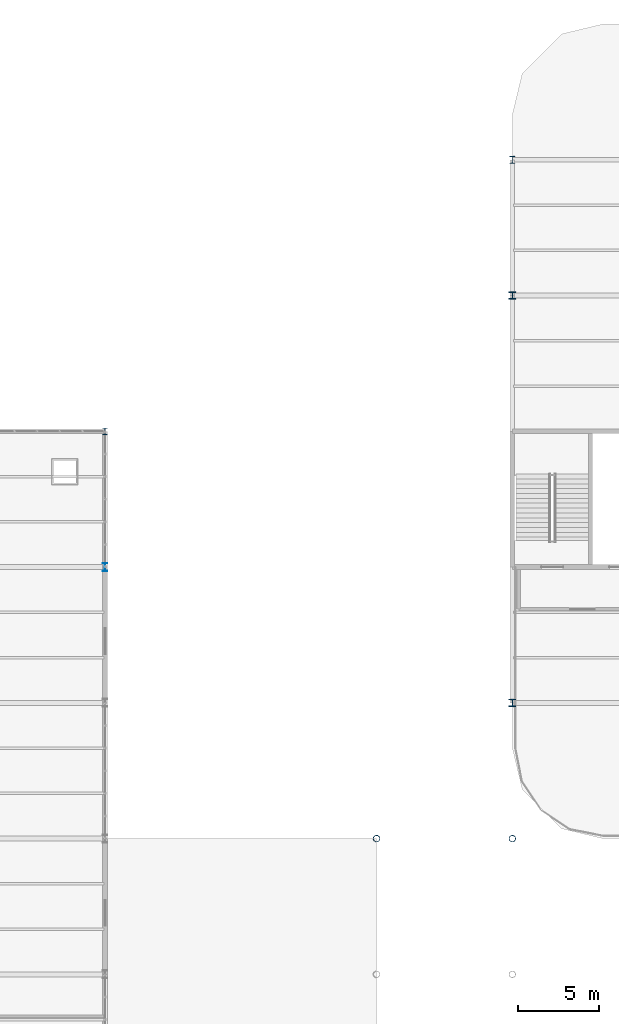
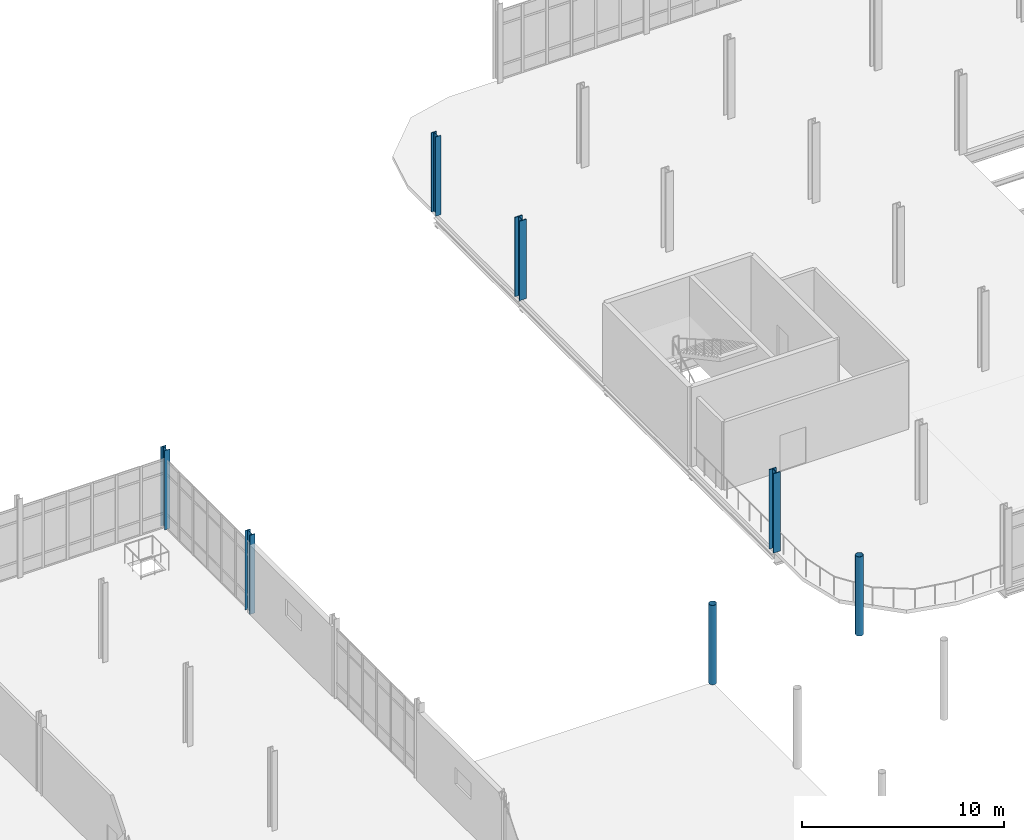
# One storey, part 12 of 145: 7 columns.
"""IFC4 building model written with IfcOpenShell, lengths in metres."""

from ifc_helpers import new_model, si_unit, direction, frame, origin, origin_2d, place, context, subcontext, project, spatial, hollow_circle, i_section, extrude, material, material_profile, profile_set, type_object, element, save


model = new_model("IFC4")

# Units and contexts
model_context = context("Model", 3, precision=1e-05, world=origin(), true_north=direction((0.0, 1.0)))
body_context = subcontext(model_context, "Body", "Model", "MODEL_VIEW")
ifc_project = project(units=[si_unit("LENGTHUNIT", "METRE"), si_unit("AREAUNIT", "SQUARE_METRE"), si_unit("VOLUMEUNIT", "CUBIC_METRE"), si_unit("PLANEANGLEUNIT", "RADIAN"), si_unit("MASSUNIT", "GRAM", prefix="KILO")], contexts=[model_context])

# Site, building, storey
site_placement = place(None, origin())
site = spatial("IfcSite", under=ifc_project, at=site_placement, CompositionType="ELEMENT")
building_placement = place(site_placement, origin())
building = spatial("IfcBuilding", under=site, at=building_placement, Name="Qalvenar Corner Mobility Hub", CompositionType="ELEMENT")
storey_placement = place(building_placement, origin())
storey = spatial("IfcBuildingStorey", under=building, at=storey_placement, Name="L00", CompositionType="ELEMENT", Elevation=0.0)

# Columns
ifc_material = material(Name="Steel S355", Category="steel")
ifc_material_profile_1 = material_profile(ifc_material, hollow_circle(Radius=0.203125, WallThickness=0.012451171875, at=origin_2d()), Name="CHS406.4x12.5")
ifc_profile_set_1 = profile_set([ifc_material_profile_1], Name="Steel S355")
column_type_1 = type_object("IfcColumnType", Name="COL-CHS406", PredefinedType="COLUMN", material=ifc_profile_set_1)
for number, where, z_axis, x_axis, name in (
    (1, (50.39990234375, 67.199951171875, 0.0), (0.0, 0.0, 1.0), (1.0, 0.0, 0.0), "Steel Column L00-G7-8"),
    (2, (58.800048828125, 67.199951171875, 0.0), (0.0, 0.0, 1.0), (1.0, 0.0, 0.0), "Steel Column L00-G8-8"),
):
    element("IfcColumn", number, at=place(storey_placement, frame(where, z_axis=z_axis, x_axis=x_axis)), inside=storey, type_object=column_type_1, Name=name, PredefinedType="COLUMN", context=body_context, shape_type="SweptSolid", body=[
        extrude(hollow_circle(Radius=0.203125, WallThickness=0.012451171875, at=origin_2d()), origin(), (0.0, 0.0, 1.0), 4.800048828125),
    ])
ifc_material_profile_2 = material_profile(ifc_material, i_section(OverallWidth=0.412109375, OverallDepth=0.455078125, WebThickness=0.030517578125, FlangeThickness=0.049072265625, FilletRadius=0.014892578125, at=origin_2d()), Name="HD400x421")
ifc_profile_set_2 = profile_set([ifc_material_profile_2], Name="Steel S355")
column_type_2 = type_object("IfcColumnType", Name="COL-HD400X382", PredefinedType="COLUMN", material=ifc_profile_set_2)
for number, where, z_axis, x_axis, name in (
    (3, (58.800048828125, 75.60009765625, 0.0), (0.0, 0.0, 1.0), (1.0, 0.0, 0.0), "Steel Column L00-G8-9"),
    (4, (58.800048828125, 100.800048828125, 0.0), (0.0, 0.0, 1.0), (1.0, 0.0, 0.0), "Steel Column L00-G8-12"),
):
    element("IfcColumn", number, at=place(storey_placement, frame(where, z_axis=z_axis, x_axis=x_axis)), inside=storey, type_object=column_type_2, Name=name, PredefinedType="COLUMN", context=body_context, shape_type="SweptSolid", body=[
        extrude(i_section(OverallWidth=0.412109375, OverallDepth=0.455078125, WebThickness=0.030517578125, FlangeThickness=0.049072265625, FilletRadius=0.014892578125, at=origin_2d()), origin(), (0.0, 0.0, 1.0), 4.800048828125),
    ])
ifc_material_profile_3 = material_profile(ifc_material, i_section(OverallWidth=0.300048828125, OverallDepth=0.39990234375, WebThickness=0.013427734375, FlangeThickness=0.02392578125, FilletRadius=0.027099609375, at=origin_2d()), Name="HEB400")
ifc_profile_set_3 = profile_set([ifc_material_profile_3], Name="Steel S355")
column_type_3 = type_object("IfcColumnType", Name="COL-HEB400", PredefinedType="COLUMN", material=ifc_profile_set_3)
column_1_placement = place(storey_placement, frame((33.60009765625, 92.39990234375, 0.0), z_axis=(0.0, 0.0, 1.0), x_axis=(1.0, 0.0, 0.0)))
element("IfcColumn", 5, at=column_1_placement, inside=storey, type_object=column_type_3, Name="Steel Column L00-G5-11", PredefinedType="COLUMN", context=body_context, shape_type="SweptSolid", body=[
    extrude(i_section(OverallWidth=0.300048828125, OverallDepth=0.39990234375, WebThickness=0.013427734375, FlangeThickness=0.02392578125, FilletRadius=0.027099609375, at=origin_2d()), origin(), (0.0, 0.0, 1.0), 4.800048828125),
])
ifc_material_profile_4 = material_profile(ifc_material, i_section(OverallWidth=0.300048828125, OverallDepth=0.449951171875, WebThickness=0.013916015625, FlangeThickness=0.02587890625, FilletRadius=0.027099609375, at=origin_2d()), Name="HEB450")
ifc_profile_set_4 = profile_set([ifc_material_profile_4], Name="Steel S355")
column_type_4 = type_object("IfcColumnType", Name="COL-HEB450", PredefinedType="COLUMN", material=ifc_profile_set_4)
column_2_placement = place(storey_placement, frame((58.800048828125, 109.199951171875, 0.0), z_axis=(0.0, 0.0, 1.0), x_axis=(1.0, 0.0, 0.0)))
element("IfcColumn", 6, at=column_2_placement, inside=storey, type_object=column_type_4, Name="Steel Column L00-G8-13", PredefinedType="COLUMN", context=body_context, shape_type="SweptSolid", body=[
    extrude(i_section(OverallWidth=0.300048828125, OverallDepth=0.449951171875, WebThickness=0.013916015625, FlangeThickness=0.02587890625, FilletRadius=0.027099609375, at=origin_2d()), origin(), (0.0, 0.0, 1.0), 4.800048828125),
])
ifc_material_profile_5 = material_profile(ifc_material, i_section(OverallWidth=0.300048828125, OverallDepth=0.5, WebThickness=0.014404296875, FlangeThickness=0.028076171875, FilletRadius=0.027099609375, at=origin_2d()), Name="HEB500")
ifc_profile_set_5 = profile_set([ifc_material_profile_5], Name="Steel S355")
column_type_5 = type_object("IfcColumnType", Name="COL-HEB500", PredefinedType="COLUMN", material=ifc_profile_set_5)
column_3_placement = place(storey_placement, frame((33.60009765625, 84.0, 0.0), z_axis=(0.0, 0.0, 1.0), x_axis=(1.0, 0.0, 0.0)))
element("IfcColumn", 7, at=column_3_placement, inside=storey, type_object=column_type_5, Name="Steel Column L00-G5-10", PredefinedType="COLUMN", context=body_context, shape_type="SweptSolid", body=[
    extrude(i_section(OverallWidth=0.300048828125, OverallDepth=0.5, WebThickness=0.014404296875, FlangeThickness=0.028076171875, FilletRadius=0.027099609375, at=origin_2d()), origin(), (0.0, 0.0, 1.0), 4.800048828125),
])

save(model, "model.ifc")
